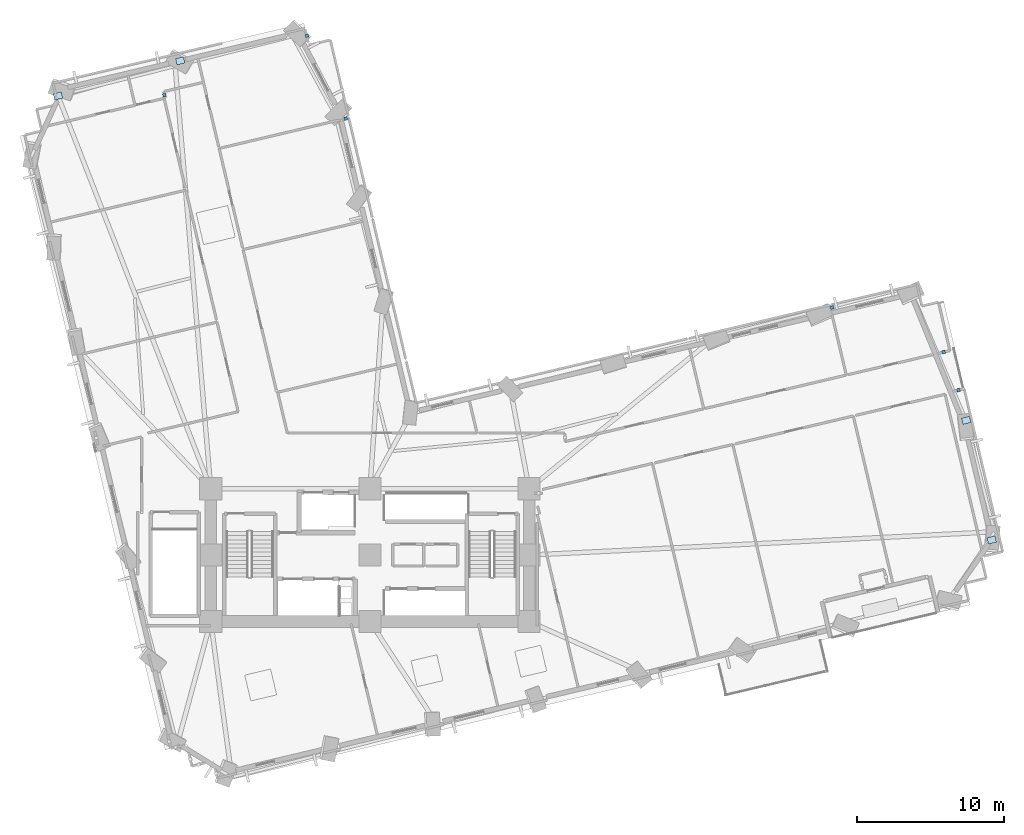
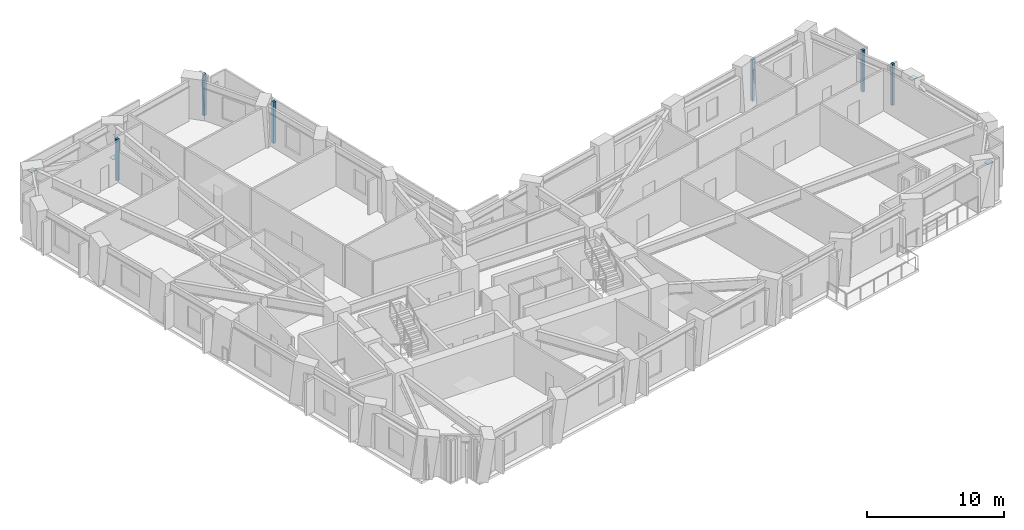
# One storey, part 5 of 14: 10 plates.
"""IFC4 building model written with IfcOpenShell, lengths in metres."""

from ifc_helpers import new_model, si_unit, direction, frame, origin, origin_2d, place, context, subcontext, project, spatial, rectangle, extrude, material, layer, layer_set, type_object, element, save


model = new_model("IFC4")

# Units and contexts
model_context = context("Model", 3, precision=1e-05, world=origin(), true_north=direction((0.0, 1.0)))
body_context = subcontext(model_context, "Body", "Model", "MODEL_VIEW")
ifc_project = project(units=[si_unit("LENGTHUNIT", "METRE"), si_unit("AREAUNIT", "SQUARE_METRE"), si_unit("VOLUMEUNIT", "CUBIC_METRE"), si_unit("PLANEANGLEUNIT", "RADIAN"), si_unit("MASSUNIT", "GRAM", prefix="KILO")], contexts=[model_context])

# Site, building, storey
site_placement = place(None, origin())
site = spatial("IfcSite", under=ifc_project, at=site_placement, CompositionType="ELEMENT")
building_placement = place(site_placement, origin())
building = spatial("IfcBuilding", under=site, at=building_placement, Name="Gaonmaruhae Medical Tower", CompositionType="ELEMENT")
storey_placement = place(building_placement, frame((0.0, 0.0, 79.0)))
storey = spatial("IfcBuildingStorey", under=building, at=storey_placement, Name="L18", CompositionType="ELEMENT", Elevation=79.0)

# Plates
ifc_material_1 = material(Name="Steel HSA650 (650 MPa)", Category="steel")
ifc_layer_1 = layer(ifc_material_1, 0.028076171875)
ifc_layer_set_1 = layer_set([ifc_layer_1], Name="Steel HSA650 (650 MPa)")
plate_type_1 = type_object("IfcPlateType", Name="GP-02 Tube Brace End Cap Gusset Plate", PredefinedType="USERDEFINED", material=ifc_layer_set_1)
for number, where, z_axis, x_axis, name in (
    (1, (66.98583984375, 13.322509765625, 0.23583984375), (0.0, 0.0, 1.0), (0.973178872777, 0.230049737188, 0.0), "L18 Gusset Cap Plate PLT-L18-PBR-E01A"),
    (2, (65.25146484375, 21.437744140625, 3.43603515625), (0.0, 0.0, 1.0), (0.969230909707, 0.246153293029, 0.0), "L18 Gusset Cap Plate PLT-L18-PBR-E01B"),
    (3, (11.93115234375, 45.8291015625, 0.23583984375), (0.0, 0.0, 1.0), (0.973178872777, 0.230049737188, 0.0), "L18 Gusset Cap Plate PLT-L18-PBR-N02A"),
    (4, (3.6376953125, 43.448486328125, 3.43603515625), (0.0, 0.0, 1.0), (0.969230909707, 0.246153293029, 0.0), "L18 Gusset Cap Plate PLT-L18-PBR-N02B"),
):
    element("IfcPlate", number, at=place(storey_placement, frame(where, z_axis=z_axis, x_axis=x_axis)), inside=storey, type_object=plate_type_1, Name=name, ObjectType="GUSSET_PLATE", PredefinedType="USERDEFINED", context=body_context, shape_type="SweptSolid", body=[
        extrude(rectangle(XDim=0.56005859375, YDim=0.43994140625, at=origin_2d()), origin(), (0.0, 0.0, 1.0), 0.028076171875),
    ])
ifc_material_2 = material(Name="Anodised aluminium 6063-T6", Category="aluminium")
ifc_layer_2 = layer(ifc_material_2, 0.011962890625)
ifc_layer_set_2 = layer_set([ifc_layer_2], Name="Anodised aluminium 6063-T6")
plate_type_2 = type_object("IfcPlateType", Name="PP-01 Interior Partition Corner Stiffener Plate", PredefinedType="SHEET", material=ifc_layer_set_2)
for number, where, z_axis, x_axis, name in (
    (5, (63.714111328125, 26.071533203125, 0.0), (0.0, 0.0, 1.0), (-0.973134688463, -0.230236569878, 0.0), "L18 Partition Corner Stiffener Plate PLT-L18-JGP-PW075"),
    (6, (56.152587890625, 29.095947265625, 0.0), (0.0, 0.0, 1.0), (-0.228911573398, 0.973447220739, 0.0), "L18 Partition Corner Stiffener Plate PLT-L18-JGP-PW077"),
    (7, (23.152099609375, 41.9150390625, 0.0), (0.0, 0.0, 1.0), (0.973130669929, 0.230253554248, 0.0), "L18 Partition Corner Stiffener Plate PLT-L18-JGP-PW085"),
    (8, (20.51953125, 47.531982421875, 0.0), (0.0, 0.0, 1.0), (0.230202600929, -0.973142724643, 0.0), "L18 Partition Corner Stiffener Plate PLT-L18-JGP-PW090"),
    (9, (10.8564453125, 43.508544921875, 0.0), (0.0, 0.0, 1.0), (0.230983815708, -0.97295759254, 0.0), "L18 Partition Corner Stiffener Plate PLT-L18-JGP-PW098"),
    (10, (64.7255859375, 23.49609375, 0.0), (0.0, 0.0, 1.0), (0.973287173103, 0.229591111922, 0.0), "L18 Partition Corner Stiffener Plate PLT-L18-JGP-PW100"),
):
    element("IfcPlate", number, at=place(storey_placement, frame(where, z_axis=z_axis, x_axis=x_axis)), inside=storey, type_object=plate_type_2, Name=name, PredefinedType="SHEET", context=body_context, shape_type="SweptSolid", body=[
        extrude(rectangle(XDim=0.219970703125, YDim=0.219970703125, at=origin_2d()), origin(), (0.0, 0.0, 1.0), 3.699951171875),
    ])

save(model, "model.ifc")
